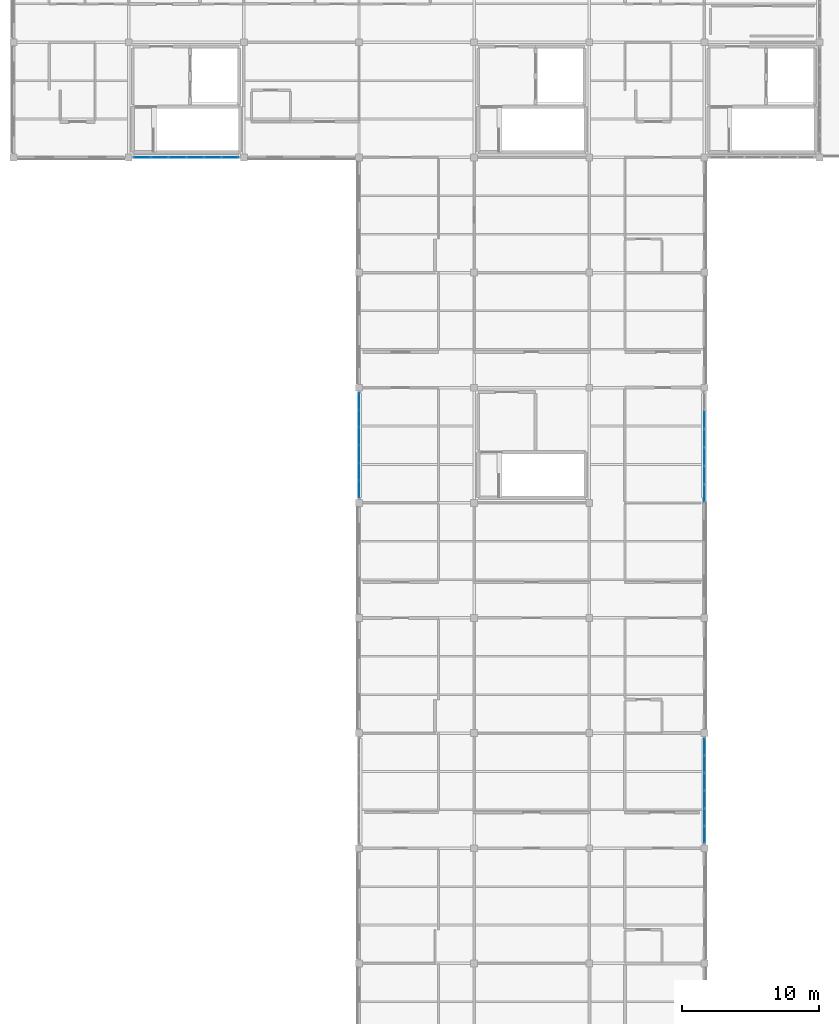
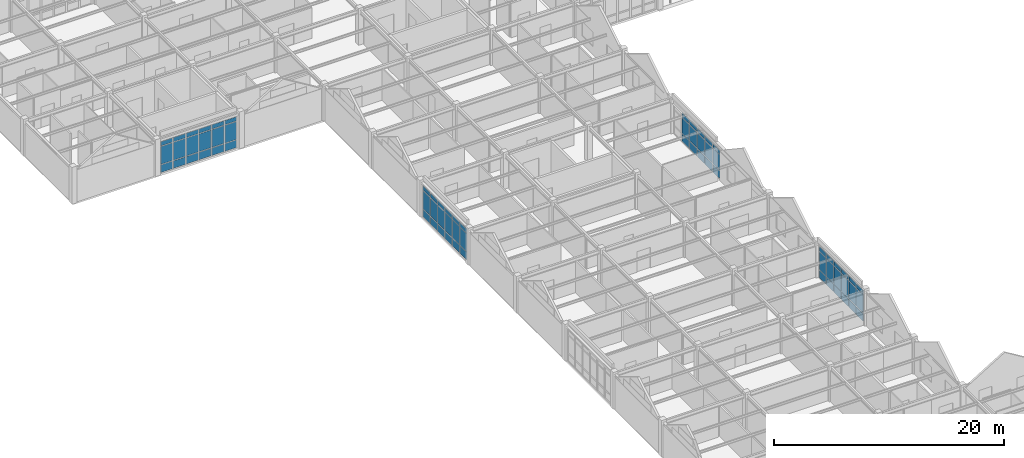
# One storey, part 29 of 45: 69 plates, 4 elements without a shape of their own.
"""IFC4 building model written with IfcOpenShell, lengths in metres."""

from ifc_helpers import new_model, si_unit, direction, frame, origin, origin_2d, place, context, subcontext, project, spatial, rectangle, extrude, material, layer, layer_set, type_object, element, aggregate, save


model = new_model("IFC4")

# Units and contexts
model_context = context("Model", 3, precision=1e-05, world=origin(), true_north=direction((0.0, 1.0)))
body_context = subcontext(model_context, "Body", "Model", "MODEL_VIEW")
ifc_project = project(units=[si_unit("LENGTHUNIT", "METRE"), si_unit("AREAUNIT", "SQUARE_METRE"), si_unit("VOLUMEUNIT", "CUBIC_METRE"), si_unit("PLANEANGLEUNIT", "RADIAN"), si_unit("MASSUNIT", "GRAM", prefix="KILO")], contexts=[model_context])

# Site, building, storey
site_placement = place(None, origin())
site = spatial("IfcSite", under=ifc_project, at=site_placement, CompositionType="ELEMENT")
building_placement = place(site_placement, origin())
building = spatial("IfcBuilding", under=site, at=building_placement, Name="Bramfleet General Hospital", CompositionType="ELEMENT")
storey_placement = place(building_placement, frame((0.0, 0.0, 30.300048828125)))
storey = spatial("IfcBuildingStorey", under=building, at=storey_placement, Name="L07", CompositionType="ELEMENT", Elevation=30.300048828125)

# Curtain wall, plates
ifc_material_1 = material(Name="Anodised aluminium and low-E triple glazing", Category="aluminium")
ifc_layer_1 = layer(ifc_material_1, 0.179931640625, Name="CWT-CW-06")
ifc_layer_set_1 = layer_set([ifc_layer_1], Name="Anodised aluminium and low-E triple glazing")
curtain_wall_type_1 = type_object("IfcCurtainWallType", Name="CWT-CW-06", PredefinedType="USERDEFINED", material=ifc_layer_set_1)
curtain_wall_1_placement = place(storey_placement, origin())
curtain_wall_1 = element("IfcCurtainWall", 1, at=curtain_wall_1_placement, inside=storey, type_object=curtain_wall_type_1, Name="L07 Curtain Wall 222", ObjectType="Unitised curtain wall", PredefinedType="USERDEFINED")
ifc_material_2 = material(Name="Low-E laminated safety glass", Category="glass")
ifc_layer_2 = layer(ifc_material_2, 0.031982421875, Name="CWP-GLZ-2")
ifc_layer_set_2 = layer_set([ifc_layer_2], Name="Low-E laminated safety glass")
plate_type_1 = type_object("IfcPlateType", Name="CWP-GLZ-2", PredefinedType="CURTAIN_PANEL", material=ifc_layer_set_2)
plate_1_placement = place(storey_placement, frame((92.39990234375, 68.188232421875, 0.06494140625), z_axis=(0.0, 0.0, 1.0), x_axis=(0.0, 1.0, 0.0)))
plate_1 = element("IfcPlate", 2, at=plate_1_placement, type_object=plate_type_1, Name="CW-06 panel 1.1", PredefinedType="CURTAIN_PANEL", context=body_context, shape_type="SweptSolid", body=[
    extrude(rectangle(XDim=1.186767578125, YDim=0.031982421875, at=origin_2d()), origin(), (0.0, 0.0, 1.0), 0.802490234375),
])
plate_2_placement = place(storey_placement, frame((92.39990234375, 68.188232421875, 0.9326171875), z_axis=(0.0, 0.0, 1.0), x_axis=(0.0, 1.0, 0.0)))
plate_2 = element("IfcPlate", 3, at=plate_2_placement, type_object=plate_type_1, Name="CW-06 panel 1.2", PredefinedType="CURTAIN_PANEL", context=body_context, shape_type="SweptSolid", body=[
    extrude(rectangle(XDim=1.186767578125, YDim=0.031982421875, at=origin_2d()), origin(), (0.0, 0.0, 1.0), 1.905029296875),
])
plate_3_placement = place(storey_placement, frame((92.39990234375, 68.188232421875, 2.90234375), z_axis=(0.0, 0.0, 1.0), x_axis=(0.0, 1.0, 0.0)))
plate_3 = element("IfcPlate", 4, at=plate_3_placement, type_object=plate_type_1, Name="CW-06 panel 1.3", PredefinedType="CURTAIN_PANEL", context=body_context, shape_type="SweptSolid", body=[
    extrude(rectangle(XDim=1.186767578125, YDim=0.031982421875, at=origin_2d()), origin(), (0.0, 0.0, 1.0), 0.452392578125),
])
plate_4_placement = place(storey_placement, frame((92.39990234375, 69.46240234375, 0.06494140625), z_axis=(0.0, 0.0, 1.0), x_axis=(0.0, 1.0, 0.0)))
plate_4 = element("IfcPlate", 5, at=plate_4_placement, type_object=plate_type_1, Name="CW-06 panel 2.1", PredefinedType="CURTAIN_PANEL", context=body_context, shape_type="SweptSolid", body=[
    extrude(rectangle(XDim=1.2216796875, YDim=0.031982421875, at=origin_2d()), origin(), (0.0, 0.0, 1.0), 0.802490234375),
])
plate_5_placement = place(storey_placement, frame((92.39990234375, 69.46240234375, 0.9326171875), z_axis=(0.0, 0.0, 1.0), x_axis=(0.0, 1.0, 0.0)))
plate_5 = element("IfcPlate", 6, at=plate_5_placement, type_object=plate_type_1, Name="CW-06 panel 2.2", PredefinedType="CURTAIN_PANEL", context=body_context, shape_type="SweptSolid", body=[
    extrude(rectangle(XDim=1.2216796875, YDim=0.031982421875, at=origin_2d()), origin(), (0.0, 0.0, 1.0), 1.905029296875),
])
plate_6_placement = place(storey_placement, frame((92.39990234375, 69.46240234375, 2.90234375), z_axis=(0.0, 0.0, 1.0), x_axis=(0.0, 1.0, 0.0)))
plate_6 = element("IfcPlate", 7, at=plate_6_placement, type_object=plate_type_1, Name="CW-06 panel 2.3", PredefinedType="CURTAIN_PANEL", context=body_context, shape_type="SweptSolid", body=[
    extrude(rectangle(XDim=1.2216796875, YDim=0.031982421875, at=origin_2d()), origin(), (0.0, 0.0, 1.0), 0.452392578125),
])
plate_7_placement = place(storey_placement, frame((92.39990234375, 70.754150390625, 0.06494140625), z_axis=(0.0, 0.0, 1.0), x_axis=(0.0, 1.0, 0.0)))
plate_7 = element("IfcPlate", 8, at=plate_7_placement, type_object=plate_type_1, Name="CW-06 panel 3.1", PredefinedType="CURTAIN_PANEL", context=body_context, shape_type="SweptSolid", body=[
    extrude(rectangle(XDim=1.2216796875, YDim=0.031982421875, at=origin_2d()), origin(), (0.0, 0.0, 1.0), 0.802490234375),
])
plate_8_placement = place(storey_placement, frame((92.39990234375, 70.754150390625, 0.9326171875), z_axis=(0.0, 0.0, 1.0), x_axis=(0.0, 1.0, 0.0)))
plate_8 = element("IfcPlate", 9, at=plate_8_placement, type_object=plate_type_1, Name="CW-06 panel 3.2", PredefinedType="CURTAIN_PANEL", context=body_context, shape_type="SweptSolid", body=[
    extrude(rectangle(XDim=1.2216796875, YDim=0.031982421875, at=origin_2d()), origin(), (0.0, 0.0, 1.0), 1.905029296875),
])
plate_9_placement = place(storey_placement, frame((92.39990234375, 70.754150390625, 2.90234375), z_axis=(0.0, 0.0, 1.0), x_axis=(0.0, 1.0, 0.0)))
plate_9 = element("IfcPlate", 10, at=plate_9_placement, type_object=plate_type_1, Name="CW-06 panel 3.3", PredefinedType="CURTAIN_PANEL", context=body_context, shape_type="SweptSolid", body=[
    extrude(rectangle(XDim=1.2216796875, YDim=0.031982421875, at=origin_2d()), origin(), (0.0, 0.0, 1.0), 0.452392578125),
])
plate_10_placement = place(storey_placement, frame((92.39990234375, 72.0458984375, 0.06494140625), z_axis=(0.0, 0.0, 1.0), x_axis=(0.0, 1.0, 0.0)))
plate_10 = element("IfcPlate", 11, at=plate_10_placement, type_object=plate_type_1, Name="CW-06 panel 4.1", PredefinedType="CURTAIN_PANEL", context=body_context, shape_type="SweptSolid", body=[
    extrude(rectangle(XDim=1.2216796875, YDim=0.031982421875, at=origin_2d()), origin(), (0.0, 0.0, 1.0), 0.802490234375),
])
plate_11_placement = place(storey_placement, frame((92.39990234375, 72.0458984375, 0.9326171875), z_axis=(0.0, 0.0, 1.0), x_axis=(0.0, 1.0, 0.0)))
plate_11 = element("IfcPlate", 12, at=plate_11_placement, type_object=plate_type_1, Name="CW-06 panel 4.2", PredefinedType="CURTAIN_PANEL", context=body_context, shape_type="SweptSolid", body=[
    extrude(rectangle(XDim=1.2216796875, YDim=0.031982421875, at=origin_2d()), origin(), (0.0, 0.0, 1.0), 1.905029296875),
])
plate_12_placement = place(storey_placement, frame((92.39990234375, 72.0458984375, 2.90234375), z_axis=(0.0, 0.0, 1.0), x_axis=(0.0, 1.0, 0.0)))
plate_12 = element("IfcPlate", 13, at=plate_12_placement, type_object=plate_type_1, Name="CW-06 panel 4.3", PredefinedType="CURTAIN_PANEL", context=body_context, shape_type="SweptSolid", body=[
    extrude(rectangle(XDim=1.2216796875, YDim=0.031982421875, at=origin_2d()), origin(), (0.0, 0.0, 1.0), 0.452392578125),
])
plate_13_placement = place(storey_placement, frame((92.39990234375, 73.33740234375, 0.06494140625), z_axis=(0.0, 0.0, 1.0), x_axis=(0.0, 1.0, 0.0)))
plate_13 = element("IfcPlate", 14, at=plate_13_placement, type_object=plate_type_1, Name="CW-06 panel 5.1", PredefinedType="CURTAIN_PANEL", context=body_context, shape_type="SweptSolid", body=[
    extrude(rectangle(XDim=1.2216796875, YDim=0.031982421875, at=origin_2d()), origin(), (0.0, 0.0, 1.0), 0.802490234375),
])
plate_14_placement = place(storey_placement, frame((92.39990234375, 73.33740234375, 0.9326171875), z_axis=(0.0, 0.0, 1.0), x_axis=(0.0, 1.0, 0.0)))
plate_14 = element("IfcPlate", 15, at=plate_14_placement, type_object=plate_type_1, Name="CW-06 panel 5.2", PredefinedType="CURTAIN_PANEL", context=body_context, shape_type="SweptSolid", body=[
    extrude(rectangle(XDim=1.2216796875, YDim=0.031982421875, at=origin_2d()), origin(), (0.0, 0.0, 1.0), 1.905029296875),
])
plate_15_placement = place(storey_placement, frame((92.39990234375, 73.33740234375, 2.90234375), z_axis=(0.0, 0.0, 1.0), x_axis=(0.0, 1.0, 0.0)))
plate_15 = element("IfcPlate", 16, at=plate_15_placement, type_object=plate_type_1, Name="CW-06 panel 5.3", PredefinedType="CURTAIN_PANEL", context=body_context, shape_type="SweptSolid", body=[
    extrude(rectangle(XDim=1.2216796875, YDim=0.031982421875, at=origin_2d()), origin(), (0.0, 0.0, 1.0), 0.452392578125),
])
plate_16_placement = place(storey_placement, frame((92.39990234375, 74.611572265625, 0.06494140625), z_axis=(0.0, 0.0, 1.0), x_axis=(0.0, 1.0, 0.0)))
plate_16 = element("IfcPlate", 17, at=plate_16_placement, type_object=plate_type_1, Name="CW-06 panel 6.1", PredefinedType="CURTAIN_PANEL", context=body_context, shape_type="SweptSolid", body=[
    extrude(rectangle(XDim=1.186767578125, YDim=0.031982421875, at=origin_2d()), origin(), (0.0, 0.0, 1.0), 0.802490234375),
])
plate_17_placement = place(storey_placement, frame((92.39990234375, 74.611572265625, 0.9326171875), z_axis=(0.0, 0.0, 1.0), x_axis=(0.0, 1.0, 0.0)))
plate_17 = element("IfcPlate", 18, at=plate_17_placement, type_object=plate_type_1, Name="CW-06 panel 6.2", PredefinedType="CURTAIN_PANEL", context=body_context, shape_type="SweptSolid", body=[
    extrude(rectangle(XDim=1.186767578125, YDim=0.031982421875, at=origin_2d()), origin(), (0.0, 0.0, 1.0), 1.905029296875),
])
plate_18_placement = place(storey_placement, frame((92.39990234375, 74.611572265625, 2.90234375), z_axis=(0.0, 0.0, 1.0), x_axis=(0.0, 1.0, 0.0)))
plate_18 = element("IfcPlate", 19, at=plate_18_placement, type_object=plate_type_1, Name="CW-06 panel 6.3", PredefinedType="CURTAIN_PANEL", context=body_context, shape_type="SweptSolid", body=[
    extrude(rectangle(XDim=1.186767578125, YDim=0.031982421875, at=origin_2d()), origin(), (0.0, 0.0, 1.0), 0.452392578125),
])
aggregate(curtain_wall_1, [plate_1, plate_2, plate_3, plate_4, plate_5, plate_6, plate_7, plate_8, plate_9, plate_10, plate_11, plate_12, plate_13, plate_14, plate_15, plate_16, plate_17, plate_18])

ifc_layer_3 = layer(ifc_material_1, 0.179931640625, Name="CWT-CW-14")
ifc_layer_set_3 = layer_set([ifc_layer_3], Name="Anodised aluminium and low-E triple glazing")
curtain_wall_type_2 = type_object("IfcCurtainWallType", Name="CWT-CW-14", PredefinedType="USERDEFINED", material=ifc_layer_set_3)
curtain_wall_2_placement = place(storey_placement, origin())
curtain_wall_2 = element("IfcCurtainWall", 20, at=curtain_wall_2_placement, inside=storey, type_object=curtain_wall_type_2, Name="L07 Curtain Wall 230", ObjectType="Stick curtain wall", PredefinedType="USERDEFINED")
plate_19_placement = place(storey_placement, frame((117.60009765625, 73.25634765625, 0.06494140625), z_axis=(0.0, 0.0, 1.0), x_axis=(0.0, -1.0, 0.0)))
plate_19 = element("IfcPlate", 21, at=plate_19_placement, type_object=plate_type_1, Name="CW-14 panel 2.1", PredefinedType="CURTAIN_PANEL", context=body_context, shape_type="SweptSolid", body=[
    extrude(rectangle(XDim=1.27587890625, YDim=0.031982421875, at=origin_2d()), origin(), (0.0, 0.0, 1.0), 0.802490234375),
])
plate_20_placement = place(storey_placement, frame((117.60009765625, 73.25634765625, 0.9326171875), z_axis=(0.0, 0.0, 1.0), x_axis=(0.0, -1.0, 0.0)))
plate_20 = element("IfcPlate", 22, at=plate_20_placement, type_object=plate_type_1, Name="CW-14 panel 2.2", PredefinedType="CURTAIN_PANEL", context=body_context, shape_type="SweptSolid", body=[
    extrude(rectangle(XDim=1.27587890625, YDim=0.031982421875, at=origin_2d()), origin(), (0.0, 0.0, 1.0), 1.635009765625),
])
plate_21_placement = place(storey_placement, frame((117.60009765625, 73.25634765625, 2.63232421875), z_axis=(0.0, 0.0, 1.0), x_axis=(0.0, -1.0, 0.0)))
plate_21 = element("IfcPlate", 23, at=plate_21_placement, type_object=plate_type_1, Name="CW-14 panel 2.3", PredefinedType="CURTAIN_PANEL", context=body_context, shape_type="SweptSolid", body=[
    extrude(rectangle(XDim=1.27587890625, YDim=0.031982421875, at=origin_2d()), origin(), (0.0, 0.0, 1.0), 0.452392578125),
])
plate_22_placement = place(storey_placement, frame((117.60009765625, 71.910400390625, 0.06494140625), z_axis=(0.0, 0.0, 1.0), x_axis=(0.0, -1.0, 0.0)))
plate_22 = element("IfcPlate", 24, at=plate_22_placement, type_object=plate_type_1, Name="CW-14 panel 3.1", PredefinedType="CURTAIN_PANEL", context=body_context, shape_type="SweptSolid", body=[
    extrude(rectangle(XDim=1.27587890625, YDim=0.031982421875, at=origin_2d()), origin(), (0.0, 0.0, 1.0), 0.802490234375),
])
plate_23_placement = place(storey_placement, frame((117.60009765625, 71.910400390625, 0.9326171875), z_axis=(0.0, 0.0, 1.0), x_axis=(0.0, -1.0, 0.0)))
plate_23 = element("IfcPlate", 25, at=plate_23_placement, type_object=plate_type_1, Name="CW-14 panel 3.2", PredefinedType="CURTAIN_PANEL", context=body_context, shape_type="SweptSolid", body=[
    extrude(rectangle(XDim=1.27587890625, YDim=0.031982421875, at=origin_2d()), origin(), (0.0, 0.0, 1.0), 1.635009765625),
])
plate_24_placement = place(storey_placement, frame((117.60009765625, 71.910400390625, 2.63232421875), z_axis=(0.0, 0.0, 1.0), x_axis=(0.0, -1.0, 0.0)))
plate_24 = element("IfcPlate", 26, at=plate_24_placement, type_object=plate_type_1, Name="CW-14 panel 3.3", PredefinedType="CURTAIN_PANEL", context=body_context, shape_type="SweptSolid", body=[
    extrude(rectangle(XDim=1.27587890625, YDim=0.031982421875, at=origin_2d()), origin(), (0.0, 0.0, 1.0), 0.452392578125),
])
plate_25_placement = place(storey_placement, frame((117.60009765625, 70.564697265625, 0.06494140625), z_axis=(0.0, 0.0, 1.0), x_axis=(0.0, -1.0, 0.0)))
plate_25 = element("IfcPlate", 27, at=plate_25_placement, type_object=plate_type_1, Name="CW-14 panel 4.1", PredefinedType="CURTAIN_PANEL", context=body_context, shape_type="SweptSolid", body=[
    extrude(rectangle(XDim=1.27587890625, YDim=0.031982421875, at=origin_2d()), origin(), (0.0, 0.0, 1.0), 0.802490234375),
])
plate_26_placement = place(storey_placement, frame((117.60009765625, 70.564697265625, 0.9326171875), z_axis=(0.0, 0.0, 1.0), x_axis=(0.0, -1.0, 0.0)))
plate_26 = element("IfcPlate", 28, at=plate_26_placement, type_object=plate_type_1, Name="CW-14 panel 4.2", PredefinedType="CURTAIN_PANEL", context=body_context, shape_type="SweptSolid", body=[
    extrude(rectangle(XDim=1.27587890625, YDim=0.031982421875, at=origin_2d()), origin(), (0.0, 0.0, 1.0), 1.635009765625),
])
plate_27_placement = place(storey_placement, frame((117.60009765625, 70.564697265625, 2.63232421875), z_axis=(0.0, 0.0, 1.0), x_axis=(0.0, -1.0, 0.0)))
plate_27 = element("IfcPlate", 29, at=plate_27_placement, type_object=plate_type_1, Name="CW-14 panel 4.3", PredefinedType="CURTAIN_PANEL", context=body_context, shape_type="SweptSolid", body=[
    extrude(rectangle(XDim=1.27587890625, YDim=0.031982421875, at=origin_2d()), origin(), (0.0, 0.0, 1.0), 0.452392578125),
])
plate_28_placement = place(storey_placement, frame((117.60009765625, 69.21875, 0.06494140625), z_axis=(0.0, 0.0, 1.0), x_axis=(0.0, -1.0, 0.0)))
plate_28 = element("IfcPlate", 30, at=plate_28_placement, type_object=plate_type_1, Name="CW-14 panel 5.1", PredefinedType="CURTAIN_PANEL", context=body_context, shape_type="SweptSolid", body=[
    extrude(rectangle(XDim=1.27587890625, YDim=0.031982421875, at=origin_2d()), origin(), (0.0, 0.0, 1.0), 0.802490234375),
])
plate_29_placement = place(storey_placement, frame((117.60009765625, 69.21875, 0.9326171875), z_axis=(0.0, 0.0, 1.0), x_axis=(0.0, -1.0, 0.0)))
plate_29 = element("IfcPlate", 31, at=plate_29_placement, type_object=plate_type_1, Name="CW-14 panel 5.2", PredefinedType="CURTAIN_PANEL", context=body_context, shape_type="SweptSolid", body=[
    extrude(rectangle(XDim=1.27587890625, YDim=0.031982421875, at=origin_2d()), origin(), (0.0, 0.0, 1.0), 1.635009765625),
])
plate_30_placement = place(storey_placement, frame((117.60009765625, 69.21875, 2.63232421875), z_axis=(0.0, 0.0, 1.0), x_axis=(0.0, -1.0, 0.0)))
plate_30 = element("IfcPlate", 32, at=plate_30_placement, type_object=plate_type_1, Name="CW-14 panel 5.3", PredefinedType="CURTAIN_PANEL", context=body_context, shape_type="SweptSolid", body=[
    extrude(rectangle(XDim=1.27587890625, YDim=0.031982421875, at=origin_2d()), origin(), (0.0, 0.0, 1.0), 0.452392578125),
])
plate_31_placement = place(storey_placement, frame((117.60009765625, 67.890380859375, 0.06494140625), z_axis=(0.0, 0.0, 1.0), x_axis=(0.0, -1.0, 0.0)))
plate_31 = element("IfcPlate", 33, at=plate_31_placement, type_object=plate_type_1, Name="CW-14 panel 6.1", PredefinedType="CURTAIN_PANEL", context=body_context, shape_type="SweptSolid", body=[
    extrude(rectangle(XDim=1.24072265625, YDim=0.031982421875, at=origin_2d()), origin(), (0.0, 0.0, 1.0), 0.802490234375),
])
plate_32_placement = place(storey_placement, frame((117.60009765625, 67.890380859375, 0.9326171875), z_axis=(0.0, 0.0, 1.0), x_axis=(0.0, -1.0, 0.0)))
plate_32 = element("IfcPlate", 34, at=plate_32_placement, type_object=plate_type_1, Name="CW-14 panel 6.2", PredefinedType="CURTAIN_PANEL", context=body_context, shape_type="SweptSolid", body=[
    extrude(rectangle(XDim=1.24072265625, YDim=0.031982421875, at=origin_2d()), origin(), (0.0, 0.0, 1.0), 1.635009765625),
])
plate_33_placement = place(storey_placement, frame((117.60009765625, 67.890380859375, 2.63232421875), z_axis=(0.0, 0.0, 1.0), x_axis=(0.0, -1.0, 0.0)))
plate_33 = element("IfcPlate", 35, at=plate_33_placement, type_object=plate_type_1, Name="CW-14 panel 6.3", PredefinedType="CURTAIN_PANEL", context=body_context, shape_type="SweptSolid", body=[
    extrude(rectangle(XDim=1.24072265625, YDim=0.031982421875, at=origin_2d()), origin(), (0.0, 0.0, 1.0), 0.452392578125),
])
aggregate(curtain_wall_2, [plate_19, plate_20, plate_21, plate_22, plate_23, plate_24, plate_25, plate_26, plate_27, plate_28, plate_29, plate_30, plate_31, plate_32, plate_33])

ifc_layer_4 = layer(ifc_material_1, 0.179931640625, Name="CWT-CW-07")
ifc_layer_set_4 = layer_set([ifc_layer_4], Name="Anodised aluminium and low-E triple glazing")
curtain_wall_type_3 = type_object("IfcCurtainWallType", Name="CWT-CW-07", PredefinedType="USERDEFINED", material=ifc_layer_set_4)
curtain_wall_3_placement = place(storey_placement, origin())
curtain_wall_3 = element("IfcCurtainWall", 36, at=curtain_wall_3_placement, inside=storey, type_object=curtain_wall_type_3, Name="L07 Curtain Wall 223", ObjectType="Unitised curtain wall", PredefinedType="USERDEFINED")
ifc_layer_5 = layer(ifc_material_2, 0.035888671875, Name="CWP-GLZ-3")
ifc_layer_set_5 = layer_set([ifc_layer_5], Name="Low-E laminated safety glass")
plate_type_2 = type_object("IfcPlateType", Name="CWP-GLZ-3", PredefinedType="CURTAIN_PANEL", material=ifc_layer_set_5)
plate_34_placement = place(storey_placement, frame((83.01171875, 92.39990234375, 0.06494140625), z_axis=(0.0, 0.0, 1.0), x_axis=(-1.0, 0.0, 0.0)))
plate_34 = element("IfcPlate", 37, at=plate_34_placement, type_object=plate_type_2, Name="CW-07 panel 1.1", PredefinedType="CURTAIN_PANEL", context=body_context, shape_type="SweptSolid", body=[
    extrude(rectangle(XDim=1.186767578125, YDim=0.035888671875, at=origin_2d()), origin(), (0.0, 0.0, 1.0), 0.802490234375),
])
plate_35_placement = place(storey_placement, frame((83.01171875, 92.39990234375, 0.9326171875), z_axis=(0.0, 0.0, 1.0), x_axis=(-1.0, 0.0, 0.0)))
plate_35 = element("IfcPlate", 38, at=plate_35_placement, type_object=plate_type_2, Name="CW-07 panel 1.2", PredefinedType="CURTAIN_PANEL", context=body_context, shape_type="SweptSolid", body=[
    extrude(rectangle(XDim=1.186767578125, YDim=0.035888671875, at=origin_2d()), origin(), (0.0, 0.0, 1.0), 1.885009765625),
])
plate_36_placement = place(storey_placement, frame((83.01171875, 92.39990234375, 2.88232421875), z_axis=(0.0, 0.0, 1.0), x_axis=(-1.0, 0.0, 0.0)))
plate_36 = element("IfcPlate", 39, at=plate_36_placement, type_object=plate_type_2, Name="CW-07 panel 1.3", PredefinedType="CURTAIN_PANEL", context=body_context, shape_type="SweptSolid", body=[
    extrude(rectangle(XDim=1.186767578125, YDim=0.035888671875, at=origin_2d()), origin(), (0.0, 0.0, 1.0), 0.452392578125),
])
plate_37_placement = place(storey_placement, frame((81.737548828125, 92.39990234375, 0.06494140625), z_axis=(0.0, 0.0, 1.0), x_axis=(-1.0, 0.0, 0.0)))
plate_37 = element("IfcPlate", 40, at=plate_37_placement, type_object=plate_type_2, Name="CW-07 panel 2.1", PredefinedType="CURTAIN_PANEL", context=body_context, shape_type="SweptSolid", body=[
    extrude(rectangle(XDim=1.2216796875, YDim=0.035888671875, at=origin_2d()), origin(), (0.0, 0.0, 1.0), 0.802490234375),
])
plate_38_placement = place(storey_placement, frame((81.737548828125, 92.39990234375, 0.9326171875), z_axis=(0.0, 0.0, 1.0), x_axis=(-1.0, 0.0, 0.0)))
plate_38 = element("IfcPlate", 41, at=plate_38_placement, type_object=plate_type_2, Name="CW-07 panel 2.2", PredefinedType="CURTAIN_PANEL", context=body_context, shape_type="SweptSolid", body=[
    extrude(rectangle(XDim=1.2216796875, YDim=0.035888671875, at=origin_2d()), origin(), (0.0, 0.0, 1.0), 1.885009765625),
])
plate_39_placement = place(storey_placement, frame((81.737548828125, 92.39990234375, 2.88232421875), z_axis=(0.0, 0.0, 1.0), x_axis=(-1.0, 0.0, 0.0)))
plate_39 = element("IfcPlate", 42, at=plate_39_placement, type_object=plate_type_2, Name="CW-07 panel 2.3", PredefinedType="CURTAIN_PANEL", context=body_context, shape_type="SweptSolid", body=[
    extrude(rectangle(XDim=1.2216796875, YDim=0.035888671875, at=origin_2d()), origin(), (0.0, 0.0, 1.0), 0.452392578125),
])
plate_40_placement = place(storey_placement, frame((80.44580078125, 92.39990234375, 0.06494140625), z_axis=(0.0, 0.0, 1.0), x_axis=(-1.0, 0.0, 0.0)))
plate_40 = element("IfcPlate", 43, at=plate_40_placement, type_object=plate_type_2, Name="CW-07 panel 3.1", PredefinedType="CURTAIN_PANEL", context=body_context, shape_type="SweptSolid", body=[
    extrude(rectangle(XDim=1.2216796875, YDim=0.035888671875, at=origin_2d()), origin(), (0.0, 0.0, 1.0), 0.802490234375),
])
plate_41_placement = place(storey_placement, frame((80.44580078125, 92.39990234375, 0.9326171875), z_axis=(0.0, 0.0, 1.0), x_axis=(-1.0, 0.0, 0.0)))
plate_41 = element("IfcPlate", 44, at=plate_41_placement, type_object=plate_type_2, Name="CW-07 panel 3.2", PredefinedType="CURTAIN_PANEL", context=body_context, shape_type="SweptSolid", body=[
    extrude(rectangle(XDim=1.2216796875, YDim=0.035888671875, at=origin_2d()), origin(), (0.0, 0.0, 1.0), 1.885009765625),
])
plate_42_placement = place(storey_placement, frame((80.44580078125, 92.39990234375, 2.88232421875), z_axis=(0.0, 0.0, 1.0), x_axis=(-1.0, 0.0, 0.0)))
plate_42 = element("IfcPlate", 45, at=plate_42_placement, type_object=plate_type_2, Name="CW-07 panel 3.3", PredefinedType="CURTAIN_PANEL", context=body_context, shape_type="SweptSolid", body=[
    extrude(rectangle(XDim=1.2216796875, YDim=0.035888671875, at=origin_2d()), origin(), (0.0, 0.0, 1.0), 0.452392578125),
])
plate_43_placement = place(storey_placement, frame((79.154052734375, 92.39990234375, 0.06494140625), z_axis=(0.0, 0.0, 1.0), x_axis=(-1.0, 0.0, 0.0)))
plate_43 = element("IfcPlate", 46, at=plate_43_placement, type_object=plate_type_2, Name="CW-07 panel 4.1", PredefinedType="CURTAIN_PANEL", context=body_context, shape_type="SweptSolid", body=[
    extrude(rectangle(XDim=1.2216796875, YDim=0.035888671875, at=origin_2d()), origin(), (0.0, 0.0, 1.0), 0.802490234375),
])
plate_44_placement = place(storey_placement, frame((79.154052734375, 92.39990234375, 0.9326171875), z_axis=(0.0, 0.0, 1.0), x_axis=(-1.0, 0.0, 0.0)))
plate_44 = element("IfcPlate", 47, at=plate_44_placement, type_object=plate_type_2, Name="CW-07 panel 4.2", PredefinedType="CURTAIN_PANEL", context=body_context, shape_type="SweptSolid", body=[
    extrude(rectangle(XDim=1.2216796875, YDim=0.035888671875, at=origin_2d()), origin(), (0.0, 0.0, 1.0), 1.885009765625),
])
plate_45_placement = place(storey_placement, frame((79.154052734375, 92.39990234375, 2.88232421875), z_axis=(0.0, 0.0, 1.0), x_axis=(-1.0, 0.0, 0.0)))
plate_45 = element("IfcPlate", 48, at=plate_45_placement, type_object=plate_type_2, Name="CW-07 panel 4.3", PredefinedType="CURTAIN_PANEL", context=body_context, shape_type="SweptSolid", body=[
    extrude(rectangle(XDim=1.2216796875, YDim=0.035888671875, at=origin_2d()), origin(), (0.0, 0.0, 1.0), 0.452392578125),
])
plate_46_placement = place(storey_placement, frame((77.862548828125, 92.39990234375, 0.06494140625), z_axis=(0.0, 0.0, 1.0), x_axis=(-1.0, 0.0, 0.0)))
plate_46 = element("IfcPlate", 49, at=plate_46_placement, type_object=plate_type_2, Name="CW-07 panel 5.1", PredefinedType="CURTAIN_PANEL", context=body_context, shape_type="SweptSolid", body=[
    extrude(rectangle(XDim=1.2216796875, YDim=0.035888671875, at=origin_2d()), origin(), (0.0, 0.0, 1.0), 0.802490234375),
])
plate_47_placement = place(storey_placement, frame((77.862548828125, 92.39990234375, 0.9326171875), z_axis=(0.0, 0.0, 1.0), x_axis=(-1.0, 0.0, 0.0)))
plate_47 = element("IfcPlate", 50, at=plate_47_placement, type_object=plate_type_2, Name="CW-07 panel 5.2", PredefinedType="CURTAIN_PANEL", context=body_context, shape_type="SweptSolid", body=[
    extrude(rectangle(XDim=1.2216796875, YDim=0.035888671875, at=origin_2d()), origin(), (0.0, 0.0, 1.0), 1.885009765625),
])
plate_48_placement = place(storey_placement, frame((77.862548828125, 92.39990234375, 2.88232421875), z_axis=(0.0, 0.0, 1.0), x_axis=(-1.0, 0.0, 0.0)))
plate_48 = element("IfcPlate", 51, at=plate_48_placement, type_object=plate_type_2, Name="CW-07 panel 5.3", PredefinedType="CURTAIN_PANEL", context=body_context, shape_type="SweptSolid", body=[
    extrude(rectangle(XDim=1.2216796875, YDim=0.035888671875, at=origin_2d()), origin(), (0.0, 0.0, 1.0), 0.452392578125),
])
plate_49_placement = place(storey_placement, frame((76.58837890625, 92.39990234375, 0.06494140625), z_axis=(0.0, 0.0, 1.0), x_axis=(-1.0, 0.0, 0.0)))
plate_49 = element("IfcPlate", 52, at=plate_49_placement, type_object=plate_type_2, Name="CW-07 panel 6.1", PredefinedType="CURTAIN_PANEL", context=body_context, shape_type="SweptSolid", body=[
    extrude(rectangle(XDim=1.186767578125, YDim=0.035888671875, at=origin_2d()), origin(), (0.0, 0.0, 1.0), 0.802490234375),
])
plate_50_placement = place(storey_placement, frame((76.58837890625, 92.39990234375, 0.9326171875), z_axis=(0.0, 0.0, 1.0), x_axis=(-1.0, 0.0, 0.0)))
plate_50 = element("IfcPlate", 53, at=plate_50_placement, type_object=plate_type_2, Name="CW-07 panel 6.2", PredefinedType="CURTAIN_PANEL", context=body_context, shape_type="SweptSolid", body=[
    extrude(rectangle(XDim=1.186767578125, YDim=0.035888671875, at=origin_2d()), origin(), (0.0, 0.0, 1.0), 1.885009765625),
])
plate_51_placement = place(storey_placement, frame((76.58837890625, 92.39990234375, 2.88232421875), z_axis=(0.0, 0.0, 1.0), x_axis=(-1.0, 0.0, 0.0)))
plate_51 = element("IfcPlate", 54, at=plate_51_placement, type_object=plate_type_2, Name="CW-07 panel 6.3", PredefinedType="CURTAIN_PANEL", context=body_context, shape_type="SweptSolid", body=[
    extrude(rectangle(XDim=1.186767578125, YDim=0.035888671875, at=origin_2d()), origin(), (0.0, 0.0, 1.0), 0.452392578125),
])
aggregate(curtain_wall_3, [plate_34, plate_35, plate_36, plate_37, plate_38, plate_39, plate_40, plate_41, plate_42, plate_43, plate_44, plate_45, plate_46, plate_47, plate_48, plate_49, plate_50, plate_51])

ifc_layer_6 = layer(ifc_material_1, 0.179931640625, Name="CWT-CW-15")
ifc_layer_set_6 = layer_set([ifc_layer_6], Name="Anodised aluminium and low-E triple glazing")
curtain_wall_type_4 = type_object("IfcCurtainWallType", Name="CWT-CW-15", PredefinedType="USERDEFINED", material=ifc_layer_set_6)
curtain_wall_4_placement = place(storey_placement, origin())
curtain_wall_4 = element("IfcCurtainWall", 55, at=curtain_wall_4_placement, inside=storey, type_object=curtain_wall_type_4, Name="L07 Curtain Wall 231", ObjectType="Stick curtain wall", PredefinedType="USERDEFINED")
plate_52_placement = place(storey_placement, frame((117.60009765625, 49.41162109375, 0.06494140625), z_axis=(0.0, 0.0, 1.0), x_axis=(0.0, -1.0, 0.0)))
plate_52 = element("IfcPlate", 56, at=plate_52_placement, type_object=plate_type_2, Name="CW-15 panel 1.1", PredefinedType="CURTAIN_PANEL", context=body_context, shape_type="SweptSolid", body=[
    extrude(rectangle(XDim=1.186767578125, YDim=0.035888671875, at=origin_2d()), origin(), (0.0, 0.0, 1.0), 0.802490234375),
])
plate_53_placement = place(storey_placement, frame((117.60009765625, 49.41162109375, 0.9326171875), z_axis=(0.0, 0.0, 1.0), x_axis=(0.0, -1.0, 0.0)))
plate_53 = element("IfcPlate", 57, at=plate_53_placement, type_object=plate_type_2, Name="CW-15 panel 1.2", PredefinedType="CURTAIN_PANEL", context=body_context, shape_type="SweptSolid", body=[
    extrude(rectangle(XDim=1.186767578125, YDim=0.035888671875, at=origin_2d()), origin(), (0.0, 0.0, 1.0), 1.905029296875),
])
plate_54_placement = place(storey_placement, frame((117.60009765625, 49.41162109375, 2.90234375), z_axis=(0.0, 0.0, 1.0), x_axis=(0.0, -1.0, 0.0)))
plate_54 = element("IfcPlate", 58, at=plate_54_placement, type_object=plate_type_2, Name="CW-15 panel 1.3", PredefinedType="CURTAIN_PANEL", context=body_context, shape_type="SweptSolid", body=[
    extrude(rectangle(XDim=1.186767578125, YDim=0.035888671875, at=origin_2d()), origin(), (0.0, 0.0, 1.0), 0.452392578125),
])
plate_55_placement = place(storey_placement, frame((117.60009765625, 48.137451171875, 0.06494140625), z_axis=(0.0, 0.0, 1.0), x_axis=(0.0, -1.0, 0.0)))
plate_55 = element("IfcPlate", 59, at=plate_55_placement, type_object=plate_type_2, Name="CW-15 panel 2.1", PredefinedType="CURTAIN_PANEL", context=body_context, shape_type="SweptSolid", body=[
    extrude(rectangle(XDim=1.2216796875, YDim=0.035888671875, at=origin_2d()), origin(), (0.0, 0.0, 1.0), 0.802490234375),
])
plate_56_placement = place(storey_placement, frame((117.60009765625, 48.137451171875, 0.9326171875), z_axis=(0.0, 0.0, 1.0), x_axis=(0.0, -1.0, 0.0)))
plate_56 = element("IfcPlate", 60, at=plate_56_placement, type_object=plate_type_2, Name="CW-15 panel 2.2", PredefinedType="CURTAIN_PANEL", context=body_context, shape_type="SweptSolid", body=[
    extrude(rectangle(XDim=1.2216796875, YDim=0.035888671875, at=origin_2d()), origin(), (0.0, 0.0, 1.0), 1.905029296875),
])
plate_57_placement = place(storey_placement, frame((117.60009765625, 48.137451171875, 2.90234375), z_axis=(0.0, 0.0, 1.0), x_axis=(0.0, -1.0, 0.0)))
plate_57 = element("IfcPlate", 61, at=plate_57_placement, type_object=plate_type_2, Name="CW-15 panel 2.3", PredefinedType="CURTAIN_PANEL", context=body_context, shape_type="SweptSolid", body=[
    extrude(rectangle(XDim=1.2216796875, YDim=0.035888671875, at=origin_2d()), origin(), (0.0, 0.0, 1.0), 0.452392578125),
])
plate_58_placement = place(storey_placement, frame((117.60009765625, 46.845947265625, 0.06494140625), z_axis=(0.0, 0.0, 1.0), x_axis=(0.0, -1.0, 0.0)))
plate_58 = element("IfcPlate", 62, at=plate_58_placement, type_object=plate_type_2, Name="CW-15 panel 3.1", PredefinedType="CURTAIN_PANEL", context=body_context, shape_type="SweptSolid", body=[
    extrude(rectangle(XDim=1.2216796875, YDim=0.035888671875, at=origin_2d()), origin(), (0.0, 0.0, 1.0), 0.802490234375),
])
plate_59_placement = place(storey_placement, frame((117.60009765625, 46.845947265625, 0.9326171875), z_axis=(0.0, 0.0, 1.0), x_axis=(0.0, -1.0, 0.0)))
plate_59 = element("IfcPlate", 63, at=plate_59_placement, type_object=plate_type_2, Name="CW-15 panel 3.2", PredefinedType="CURTAIN_PANEL", context=body_context, shape_type="SweptSolid", body=[
    extrude(rectangle(XDim=1.2216796875, YDim=0.035888671875, at=origin_2d()), origin(), (0.0, 0.0, 1.0), 1.905029296875),
])
plate_60_placement = place(storey_placement, frame((117.60009765625, 46.845947265625, 2.90234375), z_axis=(0.0, 0.0, 1.0), x_axis=(0.0, -1.0, 0.0)))
plate_60 = element("IfcPlate", 64, at=plate_60_placement, type_object=plate_type_2, Name="CW-15 panel 3.3", PredefinedType="CURTAIN_PANEL", context=body_context, shape_type="SweptSolid", body=[
    extrude(rectangle(XDim=1.2216796875, YDim=0.035888671875, at=origin_2d()), origin(), (0.0, 0.0, 1.0), 0.452392578125),
])
plate_61_placement = place(storey_placement, frame((117.60009765625, 45.55419921875, 0.06494140625), z_axis=(0.0, 0.0, 1.0), x_axis=(0.0, -1.0, 0.0)))
plate_61 = element("IfcPlate", 65, at=plate_61_placement, type_object=plate_type_2, Name="CW-15 panel 4.1", PredefinedType="CURTAIN_PANEL", context=body_context, shape_type="SweptSolid", body=[
    extrude(rectangle(XDim=1.2216796875, YDim=0.035888671875, at=origin_2d()), origin(), (0.0, 0.0, 1.0), 0.802490234375),
])
plate_62_placement = place(storey_placement, frame((117.60009765625, 45.55419921875, 0.9326171875), z_axis=(0.0, 0.0, 1.0), x_axis=(0.0, -1.0, 0.0)))
plate_62 = element("IfcPlate", 66, at=plate_62_placement, type_object=plate_type_2, Name="CW-15 panel 4.2", PredefinedType="CURTAIN_PANEL", context=body_context, shape_type="SweptSolid", body=[
    extrude(rectangle(XDim=1.2216796875, YDim=0.035888671875, at=origin_2d()), origin(), (0.0, 0.0, 1.0), 1.905029296875),
])
plate_63_placement = place(storey_placement, frame((117.60009765625, 45.55419921875, 2.90234375), z_axis=(0.0, 0.0, 1.0), x_axis=(0.0, -1.0, 0.0)))
plate_63 = element("IfcPlate", 67, at=plate_63_placement, type_object=plate_type_2, Name="CW-15 panel 4.3", PredefinedType="CURTAIN_PANEL", context=body_context, shape_type="SweptSolid", body=[
    extrude(rectangle(XDim=1.2216796875, YDim=0.035888671875, at=origin_2d()), origin(), (0.0, 0.0, 1.0), 0.452392578125),
])
plate_64_placement = place(storey_placement, frame((117.60009765625, 44.262451171875, 0.06494140625), z_axis=(0.0, 0.0, 1.0), x_axis=(0.0, -1.0, 0.0)))
plate_64 = element("IfcPlate", 68, at=plate_64_placement, type_object=plate_type_2, Name="CW-15 panel 5.1", PredefinedType="CURTAIN_PANEL", context=body_context, shape_type="SweptSolid", body=[
    extrude(rectangle(XDim=1.2216796875, YDim=0.035888671875, at=origin_2d()), origin(), (0.0, 0.0, 1.0), 0.802490234375),
])
plate_65_placement = place(storey_placement, frame((117.60009765625, 44.262451171875, 0.9326171875), z_axis=(0.0, 0.0, 1.0), x_axis=(0.0, -1.0, 0.0)))
plate_65 = element("IfcPlate", 69, at=plate_65_placement, type_object=plate_type_2, Name="CW-15 panel 5.2", PredefinedType="CURTAIN_PANEL", context=body_context, shape_type="SweptSolid", body=[
    extrude(rectangle(XDim=1.2216796875, YDim=0.035888671875, at=origin_2d()), origin(), (0.0, 0.0, 1.0), 1.905029296875),
])
plate_66_placement = place(storey_placement, frame((117.60009765625, 44.262451171875, 2.90234375), z_axis=(0.0, 0.0, 1.0), x_axis=(0.0, -1.0, 0.0)))
plate_66 = element("IfcPlate", 70, at=plate_66_placement, type_object=plate_type_2, Name="CW-15 panel 5.3", PredefinedType="CURTAIN_PANEL", context=body_context, shape_type="SweptSolid", body=[
    extrude(rectangle(XDim=1.2216796875, YDim=0.035888671875, at=origin_2d()), origin(), (0.0, 0.0, 1.0), 0.452392578125),
])
plate_67_placement = place(storey_placement, frame((117.60009765625, 42.98828125, 0.06494140625), z_axis=(0.0, 0.0, 1.0), x_axis=(0.0, -1.0, 0.0)))
plate_67 = element("IfcPlate", 71, at=plate_67_placement, type_object=plate_type_2, Name="CW-15 panel 6.1", PredefinedType="CURTAIN_PANEL", context=body_context, shape_type="SweptSolid", body=[
    extrude(rectangle(XDim=1.186767578125, YDim=0.035888671875, at=origin_2d()), origin(), (0.0, 0.0, 1.0), 0.802490234375),
])
plate_68_placement = place(storey_placement, frame((117.60009765625, 42.98828125, 0.9326171875), z_axis=(0.0, 0.0, 1.0), x_axis=(0.0, -1.0, 0.0)))
plate_68 = element("IfcPlate", 72, at=plate_68_placement, type_object=plate_type_2, Name="CW-15 panel 6.2", PredefinedType="CURTAIN_PANEL", context=body_context, shape_type="SweptSolid", body=[
    extrude(rectangle(XDim=1.186767578125, YDim=0.035888671875, at=origin_2d()), origin(), (0.0, 0.0, 1.0), 1.905029296875),
])
plate_69_placement = place(storey_placement, frame((117.60009765625, 42.98828125, 2.90234375), z_axis=(0.0, 0.0, 1.0), x_axis=(0.0, -1.0, 0.0)))
plate_69 = element("IfcPlate", 73, at=plate_69_placement, type_object=plate_type_2, Name="CW-15 panel 6.3", PredefinedType="CURTAIN_PANEL", context=body_context, shape_type="SweptSolid", body=[
    extrude(rectangle(XDim=1.186767578125, YDim=0.035888671875, at=origin_2d()), origin(), (0.0, 0.0, 1.0), 0.452392578125),
])
aggregate(curtain_wall_4, [plate_52, plate_53, plate_54, plate_55, plate_56, plate_57, plate_58, plate_59, plate_60, plate_61, plate_62, plate_63, plate_64, plate_65, plate_66, plate_67, plate_68, plate_69])

save(model, "model.ifc")
